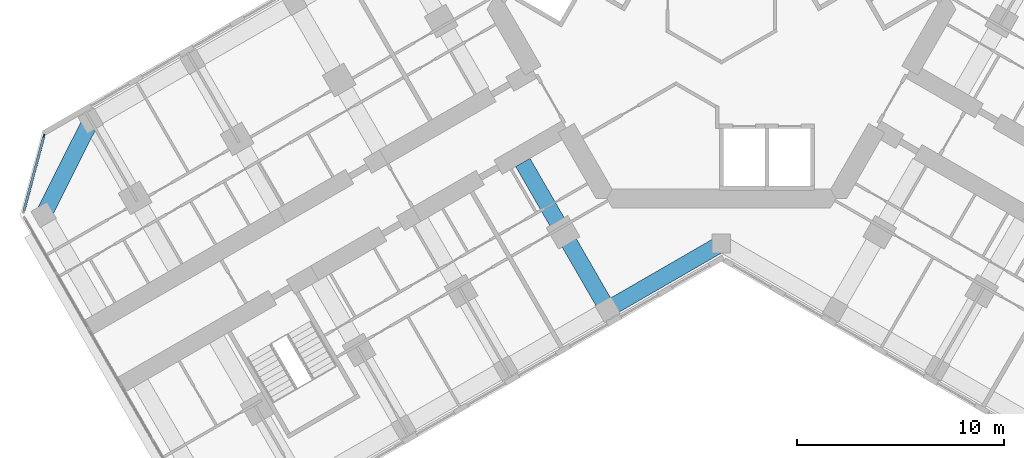
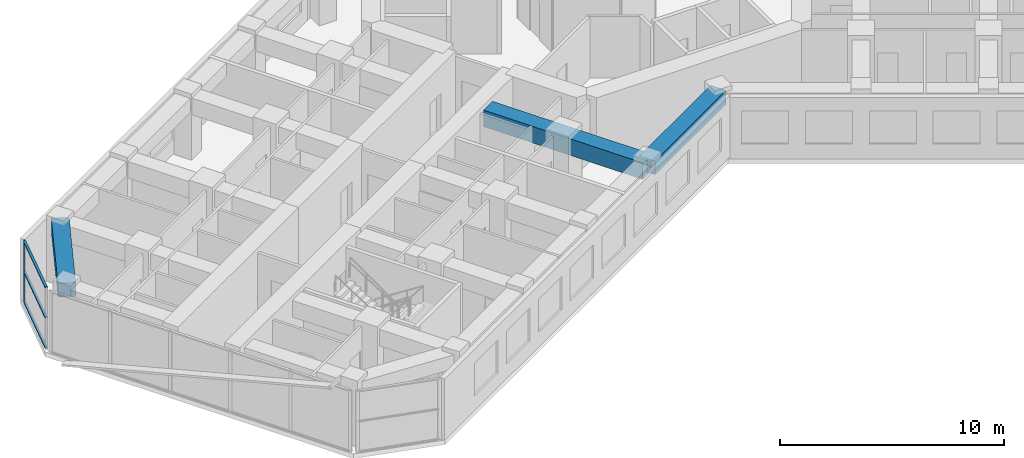
# One storey, part 3 of 19: 4 members, 3 beams, 1 element without a shape of its own.
"""IFC4 building model written with IfcOpenShell, lengths in metres."""

from ifc_helpers import new_model, si_unit, direction, frame, origin, origin_2d, place, context, subcontext, project, spatial, rectangle, extrude, material, material_profile, profile_set, type_object, element, aggregate, save


model = new_model("IFC4")

# Units and contexts
model_context = context("Model", 3, precision=1e-05, world=origin(), true_north=direction((0.0, 1.0)))
body_context = subcontext(model_context, "Body", "Model", "MODEL_VIEW")
ifc_project = project(units=[si_unit("LENGTHUNIT", "METRE"), si_unit("AREAUNIT", "SQUARE_METRE"), si_unit("VOLUMEUNIT", "CUBIC_METRE"), si_unit("PLANEANGLEUNIT", "RADIAN"), si_unit("MASSUNIT", "GRAM", prefix="KILO")], contexts=[model_context])

# Site, building, storey
site_placement = place(None, origin())
site = spatial("IfcSite", under=ifc_project, at=site_placement, CompositionType="ELEMENT")
building_placement = place(site_placement, origin())
building = spatial("IfcBuilding", under=site, at=building_placement, Name="Kosmar Iwan School Tower", CompositionType="ELEMENT")
storey_placement = place(building_placement, frame((0.0, 0.0, 168.800048828125)))
storey = spatial("IfcBuildingStorey", under=building, at=storey_placement, Name="L42", CompositionType="ELEMENT", Elevation=168.800048828125)

# Curtain wall, member
ifc_material_1 = material(Name="Dark glass in black aluminium frame", Category="aluminium")
curtain_wall_type = type_object("IfcCurtainWallType", Name="Chamfer curtain wall dark glass", PredefinedType="USERDEFINED", material=ifc_material_1)
curtain_wall_placement = place(storey_placement, origin())
curtain_wall = element("IfcCurtainWall", 1, at=curtain_wall_placement, inside=storey, type_object=curtain_wall_type, Name="Curtain wall L42-F12", ObjectType="FACETED CURTAIN WALL", PredefinedType="USERDEFINED")
ifc_material_2 = material(Name="Black anodised aluminium", Category="aluminium")
ifc_material_profile_1 = material_profile(ifc_material_2, rectangle(XDim=0.06005859375, YDim=0.159912109375, at=origin_2d()), Name="MULLION 60x160")
ifc_profile_set_1 = profile_set([ifc_material_profile_1], Name="Black anodised aluminium")
member_type_1 = type_object("IfcMemberType", Name="Mullion 60x160", PredefinedType="MULLION", material=ifc_profile_set_1)
member_1_placement = place(storey_placement, frame((-32.78076171875, -6.5732421875, 0.0), z_axis=(0.0, 0.0, 1.0), x_axis=(0.965925875495, -0.258818861462, 0.0)))
member_1 = element("IfcMember", 2, at=member_1_placement, type_object=member_type_1, Name="CW2 mullion 1", PredefinedType="MULLION", context=body_context, shape_type="SweptSolid", body=[
    extrude(rectangle(XDim=0.06005859375, YDim=0.159912109375, at=origin_2d()), origin(), (0.0, 0.0, 1.0), 3.349853515625),
])

# Beams
ifc_material_3 = material(Name="Concrete C50/60", Category="concrete")
ifc_material_profile_2 = material_profile(ifc_material_3, rectangle(XDim=0.800048828125, YDim=0.75, at=origin_2d()), Name="RC 800x750")
ifc_profile_set_2 = profile_set([ifc_material_profile_2], Name="Concrete C50/60")
beam_type_1 = type_object("IfcBeamType", Name="RC edge beam 800x750", PredefinedType="BEAM", material=ifc_profile_set_2)
beam_1_placement = place(storey_placement, frame((0.0, -11.77783203125, 2.974853515625), z_axis=(-0.866014293216, -0.500019243575, 0.0), x_axis=(0.500019243575, -0.866014293216, 0.0)))
element("IfcBeam", 3, at=beam_1_placement, inside=storey, type_object=beam_type_1, Name="Edge beam BL1", PredefinedType="BEAM", context=body_context, shape_type="SweptSolid", body=[
    extrude(rectangle(XDim=0.800048828125, YDim=0.75, at=origin_2d()), origin(), (0.0, 0.0, 1.0), 6.361083984375),
])
ifc_material_4 = material(Name="Concrete C50/60", Category="concrete")
ifc_material_profile_3 = material_profile(ifc_material_4, rectangle(XDim=0.800048828125, YDim=0.75, at=origin_2d()), Name="RC 800x750")
ifc_profile_set_3 = profile_set([ifc_material_profile_3], Name="Concrete C50/60")
beam_type_2 = type_object("IfcBeamType", Name="RC tip beam 800x750", PredefinedType="BEAM", material=ifc_profile_set_3)
beam_2_placement = place(storey_placement, frame((-30.517822265625, -5.841552734375, 2.974853515625), z_axis=(-0.44809604203, -0.893985423325, 0.0), x_axis=(0.893985423325, -0.44809604203, 0.0)))
element("IfcBeam", 4, at=beam_2_placement, inside=storey, type_object=beam_type_2, Name="Tip beam BR", PredefinedType="BEAM", context=body_context, shape_type="SweptSolid", body=[
    extrude(rectangle(XDim=0.800048828125, YDim=0.75, at=origin_2d()), origin(), (0.0, 0.0, 1.0), 5.08935546875),
])
ifc_material_5 = material(Name="Concrete C50/60", Category="concrete")
ifc_material_profile_4 = material_profile(ifc_material_5, rectangle(XDim=0.800048828125, YDim=0.89990234375, at=origin_2d()), Name="RC 800x900")
ifc_profile_set_4 = profile_set([ifc_material_profile_4], Name="Concrete C50/60")
beam_type_3 = type_object("IfcBeamType", Name="RC transverse beam 800x900", PredefinedType="BEAM", material=ifc_profile_set_4)
beam_3_placement = place(storey_placement, frame((-5.5087890625, -14.95849609375, 2.89990234375), z_axis=(-0.500000789788, 0.8660249478, 0.0), x_axis=(-0.8660249478, -0.500000789788, 0.0)))
element("IfcBeam", 5, at=beam_3_placement, inside=storey, type_object=beam_type_3, Name="Transverse beam BL1", PredefinedType="BEAM", context=body_context, shape_type="SweptSolid", body=[
    extrude(rectangle(XDim=0.800048828125, YDim=0.89990234375, at=origin_2d()), origin(), (0.0, 0.0, 1.0), 8.2001953125),
])

# Member
ifc_material_6 = material(Name="Black anodised aluminium", Category="aluminium")
ifc_material_profile_5 = material_profile(ifc_material_6, rectangle(XDim=0.1201171875, YDim=0.06005859375, at=origin_2d()), Name="TRANSOM 60x120")
ifc_profile_set_5 = profile_set([ifc_material_profile_5], Name="Black anodised aluminium")
member_type_2 = type_object("IfcMemberType", Name="Transom 60x120", PredefinedType="USERDEFINED", material=ifc_profile_set_5)
member_2_placement = place(storey_placement, frame((-32.788330078125, -6.602294921875, 0.030029296875), z_axis=(-0.258843273983, -0.965919333854, 0.0), x_axis=(0.965919333854, -0.258843273983, 0.0)))
member_2 = element("IfcMember", 6, at=member_2_placement, type_object=member_type_2, Name="CW2 transom 1.1", ObjectType="TRANSOM", PredefinedType="USERDEFINED", context=body_context, shape_type="SweptSolid", body=[
    extrude(rectangle(XDim=0.1201171875, YDim=0.06005859375, at=origin_2d()), origin(), (0.0, 0.0, 1.0), 3.718994140625),
])

member_3_placement = place(storey_placement, frame((-32.788330078125, -6.602294921875, 1.675048828125), z_axis=(-0.258843273983, -0.965919333854, 0.0), x_axis=(0.965919333854, -0.258843273983, 0.0)))
member_3 = element("IfcMember", 7, at=member_3_placement, type_object=member_type_2, Name="CW2 transom 1.2", ObjectType="TRANSOM", PredefinedType="USERDEFINED", context=body_context, shape_type="SweptSolid", body=[
    extrude(rectangle(XDim=0.1201171875, YDim=0.06005859375, at=origin_2d()), origin(), (0.0, 0.0, 1.0), 3.718994140625),
])

member_4_placement = place(storey_placement, frame((-32.788330078125, -6.602294921875, 3.320068359375), z_axis=(-0.258843273983, -0.965919333854, 0.0), x_axis=(0.965919333854, -0.258843273983, 0.0)))
member_4 = element("IfcMember", 8, at=member_4_placement, type_object=member_type_2, Name="CW2 transom 1.3", ObjectType="TRANSOM", PredefinedType="USERDEFINED", context=body_context, shape_type="SweptSolid", body=[
    extrude(rectangle(XDim=0.1201171875, YDim=0.06005859375, at=origin_2d()), origin(), (0.0, 0.0, 1.0), 3.718994140625),
])

aggregate(curtain_wall, [member_1, member_2, member_3, member_4])

save(model, "model.ifc")
